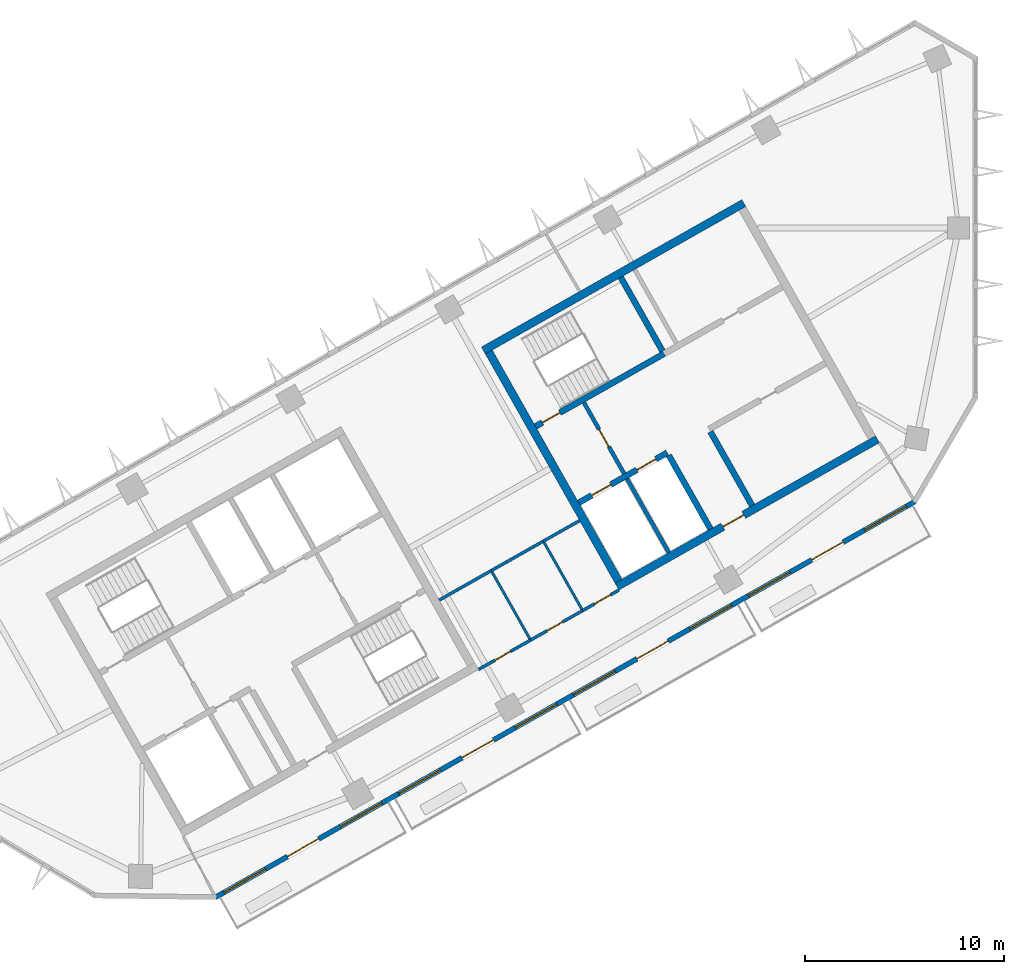
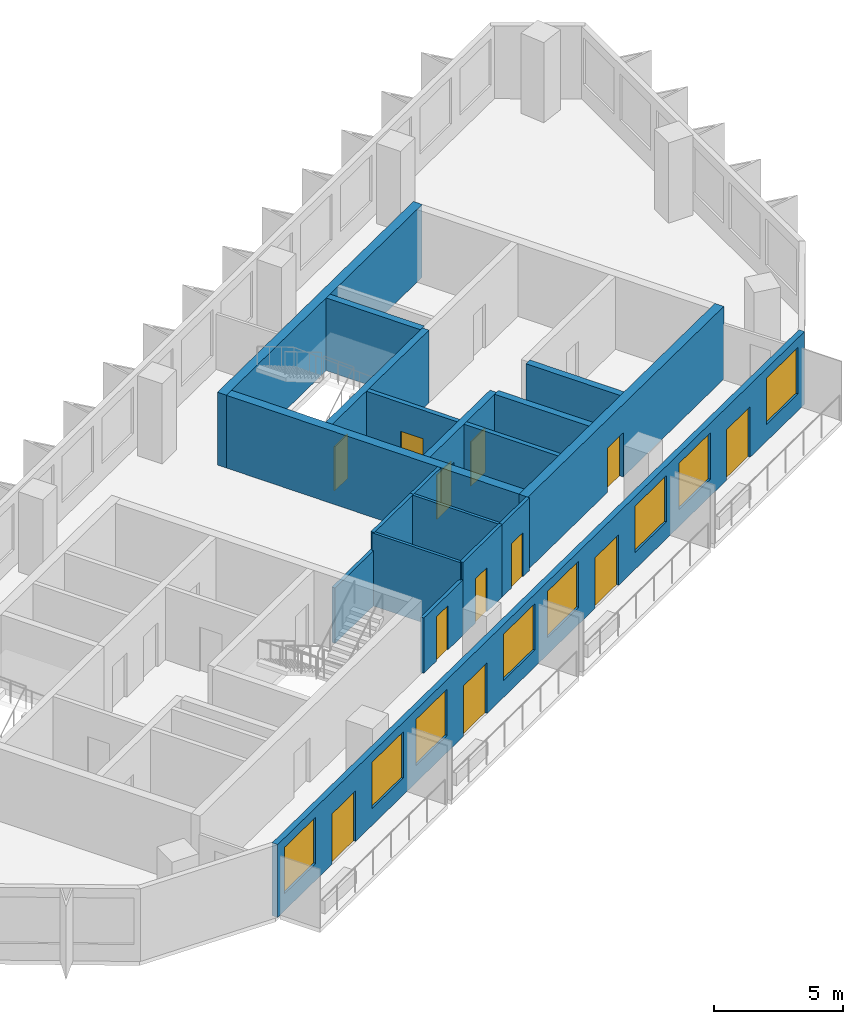
# One storey, part 4 of 8: 19 walls, 12 doors, 8 windows, 20 openings.
"""IFC4 building model written with IfcOpenShell, lengths in metres."""

import ifcopenshell
import ifcopenshell.guid

model = None  # the IFC model being written
_history = None  # IfcOwnerHistory: only IFC2X3 demands one
_inside = {}  # id of a spatial element -> (the spatial element, [elements in it])
_under = {}  # id of a project, library or spatial element -> (it, [spatial elements below it])
_declared = {}  # id of a project -> (the project, [libraries it declares])
_typed = {}  # id of a type object -> (the type object, [elements of that type])
_made_of = {}  # id of a material, layer set ... -> (it, [elements and type objects made of it])


def new_model(schema):
    """Start an empty IFC model of exactly this schema.

    Asked for "IFC4X3", IfcOpenShell would pick the latest addendum, in which some entities
    have other attributes; the version numbers below select the first issue.
    IFC2X3 requires an IfcOwnerHistory on every rooted entity: one is made here for all.
    """
    global model, _history
    if schema == "IFC4X3":
        model = ifcopenshell.file(schema_version=(4, 3, 0, 0))
    else:
        model = ifcopenshell.file(schema=schema)
    _inside.clear()
    _under.clear()
    _declared.clear()
    _typed.clear()
    _made_of.clear()
    _history = None
    if model.schema == "IFC2X3":
        org = make("IfcOrganization", Name="unknown")
        user = make(
            "IfcPersonAndOrganization",
            ThePerson=make("IfcPerson", FamilyName="unknown"),
            TheOrganization=org,
        )
        app = make(
            "IfcApplication",
            ApplicationDeveloper=org,
            Version="unknown",
            ApplicationFullName="unknown",
            ApplicationIdentifier="unknown",
        )
        _history = make(
            "IfcOwnerHistory",
            OwningUser=user,
            OwningApplication=app,
            ChangeAction="ADDED",
            CreationDate=0,
        )
    return model


def make(cls, **values):
    """One entity of the class cls with the attributes given. An attribute that is None is left unset."""
    return model.create_entity(
        cls, **{name: value for name, value in values.items() if value is not None}
    )


def rooted(cls, **values):
    """An entity with a GlobalId (a new one), such as an element, a storey or a relation."""
    return make(cls, GlobalId=ifcopenshell.guid.new(), OwnerHistory=_history, **values)


def si_unit(unit_type, name, prefix=None):
    """IfcSIUnit, for example si_unit("LENGTHUNIT", "METRE", prefix="MILLI")."""
    return make("IfcSIUnit", UnitType=unit_type, Prefix=prefix, Name=name)


def assignment(units):
    """IfcUnitAssignment: the units of a project."""
    return None if units is None else make("IfcUnitAssignment", Units=units)


def point(xyz):
    """IfcCartesianPoint."""
    return None if xyz is None else make("IfcCartesianPoint", Coordinates=xyz)


def direction(xyz):
    """IfcDirection."""
    return None if xyz is None else make("IfcDirection", DirectionRatios=xyz)


def frame(location, z_axis=None, x_axis=None):
    """IfcAxis2Placement3D, a coordinate frame: its origin and axes. An axis left out is left unset."""
    return make(
        "IfcAxis2Placement3D",
        Location=point(location),
        Axis=direction(z_axis),
        RefDirection=direction(x_axis),
    )


def frame_2d(location, x_axis=None):
    """IfcAxis2Placement2D, a coordinate frame in the plane: its origin and x axis."""
    return make(
        "IfcAxis2Placement2D", Location=point(location), RefDirection=direction(x_axis)
    )


def origin():
    """The frame at (0, 0, 0) with its axes left unset."""
    return frame((0.0, 0.0, 0.0))


def place(relative_to, where):
    """IfcLocalPlacement: puts the frame where relative to a parent placement (None: the world)."""
    return make(
        "IfcLocalPlacement", PlacementRelTo=relative_to, RelativePlacement=where
    )


def context(
    kind, dimensions, precision=None, world=None, true_north=None, identifier=None
):
    """IfcGeometricRepresentationContext, for example the 3D "Model" context."""
    return make(
        "IfcGeometricRepresentationContext",
        ContextIdentifier=identifier,
        ContextType=kind,
        CoordinateSpaceDimension=dimensions,
        Precision=precision,
        WorldCoordinateSystem=world,
        TrueNorth=true_north,
    )


def subcontext(parent, identifier, kind, view, scale=None):
    """IfcGeometricRepresentationSubContext, for example "Body" below "Model"."""
    return make(
        "IfcGeometricRepresentationSubContext",
        ContextIdentifier=identifier,
        ContextType=kind,
        ParentContext=parent,
        TargetScale=scale,
        TargetView=view,
    )


def project(units=None, contexts=None):
    """IfcProject with its units and contexts."""
    return rooted(
        "IfcProject",
        Name="project",
        RepresentationContexts=contexts,
        UnitsInContext=assignment(units),
    )


def spatial(cls, under=None, at=None, **own):
    """A site, building, storey or space (cls), placed at a placement, below another one or the project."""
    s = rooted(cls, ObjectPlacement=at, **own)
    if under is not None:
        _under.setdefault(under.id(), (under, []))[1].append(s)
    return s


def profile(cls, at=None, kind="AREA", **sizes):
    """A parametric profile (cls). Its sizes go by their IFC names, for example OverallWidth=200.0."""
    return make(cls, ProfileType=kind, Position=at, **sizes)


def rectangle(**sizes):
    """IfcRectangleProfileDef."""
    return profile("IfcRectangleProfileDef", **sizes)


def extrude(swept, where, along, depth):
    """IfcExtrudedAreaSolid: the profile swept, set in the frame where, extruded along a direction by depth."""
    return make(
        "IfcExtrudedAreaSolid",
        SweptArea=swept,
        Position=where,
        ExtrudedDirection=direction(along),
        Depth=depth,
    )


def shape(context_of_items, identifier, shape_type, items):
    """IfcShapeRepresentation: the items that make up one representation, for example the "Body"."""
    return make(
        "IfcShapeRepresentation",
        ContextOfItems=context_of_items,
        RepresentationIdentifier=identifier,
        RepresentationType=shape_type,
        Items=items,
    )


def material(Name=None, Category=None):
    """IfcMaterial."""
    return make("IfcMaterial", Name=Name, Category=Category)


def layer(
    of_material, thickness, ventilated=None, Name=None, Category=None, Priority=None
):
    """IfcMaterialLayer: one layer of a wall or slab, of a material (None: an air gap)."""
    return make(
        "IfcMaterialLayer",
        Material=of_material,
        LayerThickness=thickness,
        IsVentilated=ventilated,
        Name=Name,
        Category=Category,
        Priority=Priority,
    )


def layer_set(layers, Name=None):
    """IfcMaterialLayerSet."""
    return make("IfcMaterialLayerSet", MaterialLayers=layers, LayerSetName=Name)


def made_of(thing, what):
    """Note that an element or type object is made of a material, layer set ...; save() writes the relation."""
    if what is not None:
        _made_of.setdefault(what.id(), (what, []))[1].append(thing)
    return thing


def type_object(cls, material=None, **own):
    """A type object (cls), such as IfcWallType, which elements share."""
    return made_of(rooted(cls, **own), material)


def element(
    cls,
    number,
    at=None,
    inside=None,
    cuts=None,
    type_object=None,
    material=None,
    context=None,
    identifier="Body",
    shape_type=None,
    held_by="IfcProductDefinitionShape",
    body=None,
    shapes=None,
    **own,
):
    """One element of the class cls, such as IfcWall. Its Tag is "e" and its number.

    at: its placement. inside: the storey or other place that contains it. cuts: it is an
    opening in that element (IfcRelVoidsElement). A single representation is given by context,
    identifier, shape_type and body (its items); several are given by shapes. held_by: the class
    of the entity that holds the representations. save() writes the other relations.
    """
    e = rooted(cls, Tag="e%d" % number, ObjectPlacement=at, **own)
    if body is not None:
        shapes = [shape(context, identifier, shape_type, body)]
    if shapes is not None:
        e.Representation = make(held_by, Representations=shapes)
    if inside is not None:
        _inside.setdefault(inside.id(), (inside, []))[1].append(e)
    if cuts is not None:
        rooted(
            "IfcRelVoidsElement", RelatingBuildingElement=cuts, RelatedOpeningElement=e
        )
    if type_object is not None:
        _typed.setdefault(type_object.id(), (type_object, []))[1].append(e)
    return made_of(e, material)


def fill(opening, filler):
    """IfcRelFillsElement: the door or window that sits in an opening."""
    return rooted(
        "IfcRelFillsElement",
        RelatingOpeningElement=opening,
        RelatedBuildingElement=filler,
    )


def aggregate(whole, parts):
    """IfcRelAggregates: a whole, such as a stair, and the parts it consists of."""
    return rooted("IfcRelAggregates", RelatingObject=whole, RelatedObjects=parts)


def save(model, path):
    """Write the relations noted so far, then the file.

    IfcRelAggregates (storeys below a building ...), IfcRelContainedInSpatialStructure (elements
    in a storey), IfcRelDefinesByType, IfcRelAssociatesMaterial and IfcRelDeclares: one each for
    every whole, place, type object, material and project.
    """
    for whole, parts in _under.values():
        aggregate(whole, parts)
    for where, things in _inside.values():
        rooted(
            "IfcRelContainedInSpatialStructure",
            RelatedElements=things,
            RelatingStructure=where,
        )
    for kind, things in _typed.values():
        rooted("IfcRelDefinesByType", RelatedObjects=things, RelatingType=kind)
    for what, things in _made_of.values():
        rooted("IfcRelAssociatesMaterial", RelatedObjects=things, RelatingMaterial=what)
    for by, libraries in _declared.values():
        rooted("IfcRelDeclares", RelatingContext=by, RelatedDefinitions=libraries)
    model.write(path)


model = new_model("IFC4")

# Units and contexts
model_context = context("Model", 3, precision=1e-05, world=origin(), true_north=direction((0.0, 1.0)))
body_context = subcontext(model_context, "Body", "Model", "MODEL_VIEW")
ifc_project = project(units=[si_unit("LENGTHUNIT", "METRE"), si_unit("AREAUNIT", "SQUARE_METRE"), si_unit("VOLUMEUNIT", "CUBIC_METRE"), si_unit("PLANEANGLEUNIT", "RADIAN"), si_unit("MASSUNIT", "GRAM", prefix="KILO")], contexts=[model_context])

# Site, building, storey
site_placement = place(None, origin())
site = spatial("IfcSite", under=ifc_project, at=site_placement, CompositionType="ELEMENT")
building_placement = place(site_placement, origin())
building = spatial("IfcBuilding", under=site, at=building_placement, Name="Binnacle Exchange Tower", CompositionType="ELEMENT")
storey_placement = place(building_placement, frame((0.0, 0.0, 308.300048828125)))
storey = spatial("IfcBuildingStorey", under=building, at=storey_placement, Name="L69", CompositionType="ELEMENT", Elevation=308.300048828125)

# Wall, openings, doors
ifc_material_1 = material(Name="Concrete C70/85", Category="concrete")
ifc_layer_1 = layer(ifc_material_1, 0.300048828125)
ifc_layer_set_1 = layer_set([ifc_layer_1], Name="Core wall - front 300")
wall_type_1 = type_object("IfcWallType", Name="Core wall - front 300", PredefinedType="SOLIDWALL", material=ifc_layer_set_1)
wall_1_placement = place(storey_placement, frame((-19.89208984375, 46.2177734375, 0.0), z_axis=(0.0, 0.0, 1.0), x_axis=(0.870341639186, 0.492448404505, 0.0)))
wall_1 = element("IfcWall", 1, at=wall_1_placement, inside=storey, type_object=wall_type_1, Name="Core wall CRWC2", PredefinedType="SOLIDWALL", context=body_context, shape_type="SweptSolid", body=[
    extrude(rectangle(XDim=5.099853515625, YDim=0.300048828125, at=frame_2d((2.5498046875, 0.0))), origin(), (0.0, 0.0, 1.0), 3.449951171875),
])
opening_1_placement = place(wall_1_placement, frame((0.75, 0.0, 0.0)))
opening_1 = element("IfcOpeningElement", 2, at=opening_1_placement, cuts=wall_1, Name="Opening LD14", PredefinedType="OPENING", context=body_context, shape_type="SweptSolid", body=[
    extrude(rectangle(XDim=1.10009765625, YDim=2.10009765625, at=frame_2d((0.550048828125, 1.050048828125))), frame((0.0, 0.159912109375, 0.0), z_axis=(0.0, -1.0, 0.0), x_axis=(1.0, 0.0, 0.0)), (0.0, 0.0, 1.0), 0.320068359375),
])
opening_2_placement = place(wall_1_placement, frame((3.35009765625, 0.0, 0.0)))
opening_2 = element("IfcOpeningElement", 3, at=opening_2_placement, cuts=wall_1, Name="Opening LD11", PredefinedType="OPENING", context=body_context, shape_type="SweptSolid", body=[
    extrude(rectangle(XDim=1.10009765625, YDim=2.10009765625, at=frame_2d((0.550048828125, 1.050048828125))), frame((0.0, 0.159912109375, 0.0), z_axis=(0.0, -1.0, 0.0), x_axis=(1.0, 0.0, 0.0)), (0.0, 0.0, 1.0), 0.320068359375),
])
ifc_material_2 = material(Name="Steel door leaf", Category="steel")
door_type_1 = type_object("IfcDoorType", Name="Fire door - lift landing 1100", OperationType="NOTDEFINED", PredefinedType="DOOR", material=ifc_material_2)
door_1_placement = place(opening_1_placement, origin())
door_1 = element("IfcDoor", 4, at=door_1_placement, inside=storey, type_object=door_type_1, Name="Landing door LD14 L69", OperationType="DOUBLE_DOOR_SLIDING", OverallHeight=2.10009765625, OverallWidth=1.10009765625, PredefinedType="DOOR", context=body_context, shape_type="SweptSolid", body=[
    extrude(rectangle(XDim=1.10009765625, YDim=2.10009765625, at=frame_2d((0.550048828125, 1.050048828125))), frame((0.0, 0.02490234375, 0.0), z_axis=(0.0, -1.0, 0.0), x_axis=(1.0, 0.0, 0.0)), (0.0, 0.0, 1.0), 0.050048828125),
])
fill(opening_1, door_1)
door_2_placement = place(opening_2_placement, origin())
door_2 = element("IfcDoor", 5, at=door_2_placement, inside=storey, type_object=door_type_1, Name="Landing door LD11 L69", OperationType="DOUBLE_DOOR_SLIDING", OverallHeight=2.10009765625, OverallWidth=1.10009765625, PredefinedType="DOOR", context=body_context, shape_type="SweptSolid", body=[
    extrude(rectangle(XDim=1.10009765625, YDim=2.10009765625, at=frame_2d((0.550048828125, 1.050048828125))), frame((0.0, 0.02490234375, 0.0), z_axis=(0.0, -1.0, 0.0), x_axis=(1.0, 0.0, 0.0)), (0.0, 0.0, 1.0), 0.050048828125),
])
fill(opening_2, door_2)

# Walls
wall_2_placement = place(storey_placement, frame((-15.37939453125, 48.5986328125, 0.0), z_axis=(0.0, 0.0, 1.0), x_axis=(0.492422543467, -0.870356271124, 0.0)))
element("IfcWall", 6, at=wall_2_placement, inside=storey, type_object=wall_type_1, Name="Core wall CRWC13", PredefinedType="SOLIDWALL", context=body_context, shape_type="SweptSolid", body=[
    extrude(rectangle(XDim=4.25, YDim=0.300048828125, at=frame_2d((2.125, 0.0))), origin(), (0.0, 0.0, 1.0), 3.449951171875),
])
wall_3_placement = place(storey_placement, frame((-13.29052734375, 49.780517578125, 0.0), z_axis=(0.0, 0.0, 1.0), x_axis=(0.492397924348, -0.870370199454, 0.0)))
element("IfcWall", 7, at=wall_3_placement, inside=storey, type_object=wall_type_1, Name="Core wall CRWC15", PredefinedType="SOLIDWALL", context=body_context, shape_type="SweptSolid", body=[
    extrude(rectangle(XDim=4.250244140625, YDim=0.300048828125, at=frame_2d((2.125, 0.0))), origin(), (0.0, 0.0, 1.0), 3.449951171875),
])

# Wall, opening, door
ifc_layer_2 = layer(ifc_material_1, 0.39990234375)
ifc_layer_set_2 = layer_set([ifc_layer_2], Name="Core wall - outer 400")
wall_type_2 = type_object("IfcWallType", Name="Core wall - outer 400", PredefinedType="SOLIDWALL", material=ifc_layer_set_2)
wall_4_placement = place(storey_placement, frame((-17.97509765625, 42.01708984375, 0.0), z_axis=(0.0, 0.0, 1.0), x_axis=(0.87034965173, 0.492434243055, 0.0)))
wall_4 = element("IfcWall", 8, at=wall_4_placement, inside=storey, type_object=wall_type_2, Name="Core wall CRWC1", PredefinedType="SOLIDWALL", context=body_context, shape_type="SweptSolid", body=[
    extrude(rectangle(XDim=15.0, YDim=0.39990234375, at=frame_2d((7.5, 0.0))), origin(), (0.0, 0.0, 1.0), 3.449951171875),
])
opening_3_placement = place(wall_4_placement, frame((6.10009765625, 0.0, 0.0)))
opening_3 = element("IfcOpeningElement", 9, at=opening_3_placement, cuts=wall_4, Name="Opening DC7", PredefinedType="OPENING", context=body_context, shape_type="SweptSolid", body=[
    extrude(rectangle(XDim=1.199951171875, YDim=2.10009765625, at=frame_2d((0.60009765625, 1.050048828125))), frame((0.0, 0.2099609375, 0.0), z_axis=(0.0, -1.0, 0.0), x_axis=(1.0, 0.0, 0.0)), (0.0, 0.0, 1.0), 0.419921875),
])
door_type_2 = type_object("IfcDoorType", Name="Fire door 1200", OperationType="NOTDEFINED", PredefinedType="DOOR", material=ifc_material_2)
door_3_placement = place(opening_3_placement, frame((1.199951171875, 0.0, 0.0), z_axis=(0.0, 0.0, 1.0), x_axis=(-1.0, 0.0, 0.0)))
door_3 = element("IfcDoor", 10, at=door_3_placement, inside=storey, type_object=door_type_2, Name="Lift lobby entrance door core C", OperationType="SINGLE_SWING_RIGHT", OverallHeight=2.10009765625, OverallWidth=1.199951171875, PredefinedType="DOOR", context=body_context, shape_type="SweptSolid", body=[
    extrude(rectangle(XDim=1.199951171875, YDim=2.10009765625, at=frame_2d((0.60009765625, 1.050048828125))), frame((0.0, 0.02490234375, 0.0), z_axis=(0.0, -1.0, 0.0), x_axis=(1.0, 0.0, 0.0)), (0.0, 0.0, 1.0), 0.050048828125),
])
fill(opening_3, door_3)

# Walls
wall_5_placement = place(storey_placement, frame((-24.672119140625, 53.85400390625, 0.0), z_axis=(0.0, 0.0, 1.0), x_axis=(0.870353598469, 0.492427267353, 0.0)))
element("IfcWall", 11, at=wall_5_placement, inside=storey, type_object=wall_type_2, Name="Core wall CRWC6", PredefinedType="SOLIDWALL", context=body_context, shape_type="SweptSolid", body=[
    extrude(rectangle(XDim=15.000244140625, YDim=0.39990234375, at=frame_2d((7.5, 0.0))), origin(), (0.0, 0.0, 1.0), 3.449951171875),
])
wall_6_placement = place(storey_placement, frame((-24.399658203125, 53.778564453125, 0.0), z_axis=(0.0, 0.0, 1.0), x_axis=(0.492421663121, -0.870356769198, 0.0)))
element("IfcWall", 12, at=wall_6_placement, inside=storey, type_object=wall_type_2, Name="Core wall CRWC7", PredefinedType="SOLIDWALL", context=body_context, shape_type="SweptSolid", body=[
    extrude(rectangle(XDim=13.199951171875, YDim=0.39990234375, at=frame_2d((6.60009765625, 0.0))), origin(), (0.0, 0.0, 1.0), 3.449951171875),
])

# Wall, opening, door
ifc_layer_3 = layer(ifc_material_1, 0.300048828125)
ifc_layer_set_3 = layer_set([ifc_layer_3], Name="Core wall - stair 300")
wall_type_3 = type_object("IfcWallType", Name="Core wall - stair 300", PredefinedType="SOLIDWALL", material=ifc_layer_set_3)
wall_7_placement = place(storey_placement, frame((-22.058837890625, 50.04736328125, 0.0), z_axis=(0.0, 0.0, 1.0), x_axis=(0.87035077051, 0.49243226567, 0.0)))
wall_7 = element("IfcWall", 13, at=wall_7_placement, inside=storey, type_object=wall_type_3, Name="Core wall CRWC4", PredefinedType="SOLIDWALL", context=body_context, shape_type="SweptSolid", body=[
    extrude(rectangle(XDim=7.400146484375, YDim=0.300048828125, at=frame_2d((3.7001953125, 0.0))), origin(), (0.0, 0.0, 1.0), 3.449951171875),
])
opening_4_placement = place(wall_7_placement, frame((0.39990234375, 0.0, 0.0)))
opening_4 = element("IfcOpeningElement", 14, at=opening_4_placement, cuts=wall_7, Name="Opening DC1", PredefinedType="OPENING", context=body_context, shape_type="SweptSolid", body=[
    extrude(rectangle(XDim=1.0, YDim=2.10009765625, at=frame_2d((0.5, 1.050048828125))), frame((0.0, 0.159912109375, 0.0), z_axis=(0.0, -1.0, 0.0), x_axis=(1.0, 0.0, 0.0)), (0.0, 0.0, 1.0), 0.320068359375),
])
door_type_3 = type_object("IfcDoorType", Name="Fire door 1000", OperationType="NOTDEFINED", PredefinedType="DOOR", material=ifc_material_2)
door_4_placement = place(opening_4_placement, origin())
door_4 = element("IfcDoor", 15, at=door_4_placement, inside=storey, type_object=door_type_3, Name="Stair door ST-C1", OperationType="SINGLE_SWING_LEFT", OverallHeight=2.10009765625, OverallWidth=1.0, PredefinedType="DOOR", context=body_context, shape_type="SweptSolid", body=[
    extrude(rectangle(XDim=1.0, YDim=2.10009765625, at=frame_2d((0.5, 1.050048828125))), frame((0.0, 0.02490234375, 0.0), z_axis=(0.0, -1.0, 0.0), x_axis=(1.0, 0.0, 0.0)), (0.0, 0.0, 1.0), 0.050048828125),
])
fill(opening_4, door_4)

# Wall
wall_8_placement = place(storey_placement, frame((-17.784912109375, 57.52099609375, 0.0), z_axis=(0.0, 0.0, 1.0), x_axis=(0.492422543467, -0.870356271124, 0.0)))
element("IfcWall", 16, at=wall_8_placement, inside=storey, type_object=wall_type_3, Name="Core wall CRWC14", PredefinedType="SOLIDWALL", context=body_context, shape_type="SweptSolid", body=[
    extrude(rectangle(XDim=4.25, YDim=0.300048828125, at=frame_2d((2.125, 0.0))), origin(), (0.0, 0.0, 1.0), 3.449951171875),
])

# Wall, openings, doors, windows
ifc_material_3 = material(Name="Bronze aluminium cladding", Category="aluminium")
ifc_layer_4 = layer(ifc_material_3, 0.25)
ifc_layer_set_4 = layer_set([ifc_layer_4], Name="External wall - window wall 250")
wall_type_4 = type_object("IfcWallType", Name="External wall - window wall 250", PredefinedType="STANDARD", material=ifc_layer_set_4)
wall_9_placement = place(storey_placement, frame((-3.016845703125, 46.293212890625, 0.0), z_axis=(0.0, 0.0, 1.0), x_axis=(-0.870355474887, -0.492423950812, 0.0)))
wall_9 = element("IfcWall", 17, at=wall_9_placement, inside=storey, type_object=wall_type_4, Name="External wall EW-H07 L69", PredefinedType="STANDARD", context=body_context, shape_type="SweptSolid", body=[
    extrude(rectangle(XDim=40.34033203125, YDim=0.25, at=frame_2d((20.170166015625, 0.0))), origin(), (0.0, 0.0, 1.0), 3.449951171875),
])
opening_5_placement = place(wall_9_placement, frame((37.428466796875, 0.0, 0.800048828125)))
opening_5 = element("IfcOpeningElement", 18, at=opening_5_placement, cuts=wall_9, Name="Opening WR2", PredefinedType="OPENING", context=body_context, shape_type="SweptSolid", body=[
    extrude(rectangle(XDim=2.39990234375, YDim=2.199951171875, at=frame_2d((1.199951171875, 1.10009765625))), frame((0.0, 0.135009765625, 0.0), z_axis=(0.0, -1.0, 0.0), x_axis=(1.0, 0.0, 0.0)), (0.0, 0.0, 1.0), 0.27001953125),
])
opening_6_placement = place(wall_9_placement, frame((34.372314453125, 0.0, 0.0)))
opening_6 = element("IfcOpeningElement", 19, at=opening_6_placement, cuts=wall_9, Name="Opening D-FS20-01", PredefinedType="OPENING", context=body_context, shape_type="SweptSolid", body=[
    extrude(rectangle(XDim=1.800048828125, YDim=2.39990234375, at=frame_2d((0.89990234375, 1.199951171875))), frame((0.0, 0.135009765625, 0.0), z_axis=(0.0, -1.0, 0.0), x_axis=(1.0, 0.0, 0.0)), (0.0, 0.0, 1.0), 0.27001953125),
])
opening_7_placement = place(wall_9_placement, frame((30.71630859375, 0.0, 0.800048828125)))
opening_7 = element("IfcOpeningElement", 20, at=opening_7_placement, cuts=wall_9, Name="Opening WR2", PredefinedType="OPENING", context=body_context, shape_type="SweptSolid", body=[
    extrude(rectangle(XDim=2.39990234375, YDim=2.199951171875, at=frame_2d((1.199951171875, 1.10009765625))), frame((0.0, 0.135009765625, 0.0), z_axis=(0.0, -1.0, 0.0), x_axis=(1.0, 0.0, 0.0)), (0.0, 0.0, 1.0), 0.27001953125),
])
opening_8_placement = place(wall_9_placement, frame((27.3603515625, 0.0, 0.800048828125)))
opening_8 = element("IfcOpeningElement", 21, at=opening_8_placement, cuts=wall_9, Name="Opening WR2", PredefinedType="OPENING", context=body_context, shape_type="SweptSolid", body=[
    extrude(rectangle(XDim=2.39990234375, YDim=2.199951171875, at=frame_2d((1.199951171875, 1.10009765625))), frame((0.0, 0.135009765625, 0.0), z_axis=(0.0, -1.0, 0.0), x_axis=(1.0, 0.0, 0.0)), (0.0, 0.0, 1.0), 0.27001953125),
])
opening_9_placement = place(wall_9_placement, frame((24.30419921875, 0.0, 0.0)))
opening_9 = element("IfcOpeningElement", 22, at=opening_9_placement, cuts=wall_9, Name="Opening D-FS20-02", PredefinedType="OPENING", context=body_context, shape_type="SweptSolid", body=[
    extrude(rectangle(XDim=1.800048828125, YDim=2.39990234375, at=frame_2d((0.89990234375, 1.199951171875))), frame((0.0, 0.135009765625, 0.0), z_axis=(0.0, -1.0, 0.0), x_axis=(1.0, 0.0, 0.0)), (0.0, 0.0, 1.0), 0.27001953125),
])
opening_10_placement = place(wall_9_placement, frame((20.648193359375, 0.0, 0.800048828125)))
opening_10 = element("IfcOpeningElement", 23, at=opening_10_placement, cuts=wall_9, Name="Opening WR2", PredefinedType="OPENING", context=body_context, shape_type="SweptSolid", body=[
    extrude(rectangle(XDim=2.39990234375, YDim=2.199951171875, at=frame_2d((1.199951171875, 1.10009765625))), frame((0.0, 0.135009765625, 0.0), z_axis=(0.0, -1.0, 0.0), x_axis=(1.0, 0.0, 0.0)), (0.0, 0.0, 1.0), 0.27001953125),
])
opening_11_placement = place(wall_9_placement, frame((17.2919921875, 0.0, 0.800048828125)))
opening_11 = element("IfcOpeningElement", 24, at=opening_11_placement, cuts=wall_9, Name="Opening WR2", PredefinedType="OPENING", context=body_context, shape_type="SweptSolid", body=[
    extrude(rectangle(XDim=2.39990234375, YDim=2.199951171875, at=frame_2d((1.199951171875, 1.10009765625))), frame((0.0, 0.135009765625, 0.0), z_axis=(0.0, -1.0, 0.0), x_axis=(1.0, 0.0, 0.0)), (0.0, 0.0, 1.0), 0.27001953125),
])
opening_12_placement = place(wall_9_placement, frame((14.236083984375, 0.0, 0.0)))
opening_12 = element("IfcOpeningElement", 25, at=opening_12_placement, cuts=wall_9, Name="Opening D-FS20-03", PredefinedType="OPENING", context=body_context, shape_type="SweptSolid", body=[
    extrude(rectangle(XDim=1.800048828125, YDim=2.39990234375, at=frame_2d((0.89990234375, 1.199951171875))), frame((0.0, 0.135009765625, 0.0), z_axis=(0.0, -1.0, 0.0), x_axis=(1.0, 0.0, 0.0)), (0.0, 0.0, 1.0), 0.27001953125),
])
opening_13_placement = place(wall_9_placement, frame((10.580078125, 0.0, 0.800048828125)))
opening_13 = element("IfcOpeningElement", 26, at=opening_13_placement, cuts=wall_9, Name="Opening WR2", PredefinedType="OPENING", context=body_context, shape_type="SweptSolid", body=[
    extrude(rectangle(XDim=2.39990234375, YDim=2.199951171875, at=frame_2d((1.199951171875, 1.10009765625))), frame((0.0, 0.135009765625, 0.0), z_axis=(0.0, -1.0, 0.0), x_axis=(1.0, 0.0, 0.0)), (0.0, 0.0, 1.0), 0.27001953125),
])
opening_14_placement = place(wall_9_placement, frame((7.223876953125, 0.0, 0.800048828125)))
opening_14 = element("IfcOpeningElement", 27, at=opening_14_placement, cuts=wall_9, Name="Opening WR2", PredefinedType="OPENING", context=body_context, shape_type="SweptSolid", body=[
    extrude(rectangle(XDim=2.39990234375, YDim=2.199951171875, at=frame_2d((1.199951171875, 1.10009765625))), frame((0.0, 0.135009765625, 0.0), z_axis=(0.0, -1.0, 0.0), x_axis=(1.0, 0.0, 0.0)), (0.0, 0.0, 1.0), 0.27001953125),
])
opening_15_placement = place(wall_9_placement, frame((4.16796875, 0.0, 0.0)))
opening_15 = element("IfcOpeningElement", 28, at=opening_15_placement, cuts=wall_9, Name="Opening D-FS20-04", PredefinedType="OPENING", context=body_context, shape_type="SweptSolid", body=[
    extrude(rectangle(XDim=1.800048828125, YDim=2.39990234375, at=frame_2d((0.89990234375, 1.199951171875))), frame((0.0, 0.135009765625, 0.0), z_axis=(0.0, -1.0, 0.0), x_axis=(1.0, 0.0, 0.0)), (0.0, 0.0, 1.0), 0.27001953125),
])
opening_16_placement = place(wall_9_placement, frame((0.51171875, 0.0, 0.800048828125)))
opening_16 = element("IfcOpeningElement", 29, at=opening_16_placement, cuts=wall_9, Name="Opening WR2", PredefinedType="OPENING", context=body_context, shape_type="SweptSolid", body=[
    extrude(rectangle(XDim=2.39990234375, YDim=2.199951171875, at=frame_2d((1.199951171875, 1.10009765625))), frame((0.0, 0.135009765625, 0.0), z_axis=(0.0, -1.0, 0.0), x_axis=(1.0, 0.0, 0.0)), (0.0, 0.0, 1.0), 0.27001953125),
])
ifc_material_4 = material(Name="Bronze anodised aluminium frame", Category="aluminium")
door_type_4 = type_object("IfcDoorType", Name="DB DOOR 1800x2400", OperationType="DOUBLE_DOOR_SINGLE_SWING", PredefinedType="DOOR", material=ifc_material_4)
door_5_placement = place(opening_6_placement, origin())
door_5 = element("IfcDoor", 30, at=door_5_placement, inside=storey, type_object=door_type_4, Name="Door D-FS20-01 L69", OperationType="DOUBLE_DOOR_SINGLE_SWING", OverallHeight=2.39990234375, OverallWidth=1.800048828125, PredefinedType="DOOR", context=body_context, shape_type="SweptSolid", body=[
    extrude(rectangle(XDim=1.800048828125, YDim=2.39990234375, at=frame_2d((0.89990234375, 1.199951171875))), frame((0.0, 0.02490234375, 0.0), z_axis=(0.0, -1.0, 0.0), x_axis=(1.0, 0.0, 0.0)), (0.0, 0.0, 1.0), 0.050048828125),
])
fill(opening_6, door_5)
door_6_placement = place(opening_9_placement, origin())
door_6 = element("IfcDoor", 31, at=door_6_placement, inside=storey, type_object=door_type_4, Name="Door D-FS20-02 L69", OperationType="DOUBLE_DOOR_SINGLE_SWING", OverallHeight=2.39990234375, OverallWidth=1.800048828125, PredefinedType="DOOR", context=body_context, shape_type="SweptSolid", body=[
    extrude(rectangle(XDim=1.800048828125, YDim=2.39990234375, at=frame_2d((0.89990234375, 1.199951171875))), frame((0.0, 0.02490234375, 0.0), z_axis=(0.0, -1.0, 0.0), x_axis=(1.0, 0.0, 0.0)), (0.0, 0.0, 1.0), 0.050048828125),
])
fill(opening_9, door_6)
door_7_placement = place(opening_12_placement, origin())
door_7 = element("IfcDoor", 32, at=door_7_placement, inside=storey, type_object=door_type_4, Name="Door D-FS20-03 L69", OperationType="DOUBLE_DOOR_SINGLE_SWING", OverallHeight=2.39990234375, OverallWidth=1.800048828125, PredefinedType="DOOR", context=body_context, shape_type="SweptSolid", body=[
    extrude(rectangle(XDim=1.800048828125, YDim=2.39990234375, at=frame_2d((0.89990234375, 1.199951171875))), frame((0.0, 0.02490234375, 0.0), z_axis=(0.0, -1.0, 0.0), x_axis=(1.0, 0.0, 0.0)), (0.0, 0.0, 1.0), 0.050048828125),
])
fill(opening_12, door_7)
door_8_placement = place(opening_15_placement, origin())
door_8 = element("IfcDoor", 33, at=door_8_placement, inside=storey, type_object=door_type_4, Name="Door D-FS20-04 L69", OperationType="DOUBLE_DOOR_SINGLE_SWING", OverallHeight=2.39990234375, OverallWidth=1.800048828125, PredefinedType="DOOR", context=body_context, shape_type="SweptSolid", body=[
    extrude(rectangle(XDim=1.800048828125, YDim=2.39990234375, at=frame_2d((0.89990234375, 1.199951171875))), frame((0.0, 0.02490234375, 0.0), z_axis=(0.0, -1.0, 0.0), x_axis=(1.0, 0.0, 0.0)), (0.0, 0.0, 1.0), 0.050048828125),
])
fill(opening_15, door_8)
window_type = type_object("IfcWindowType", Name="WR2 WINDOW 2400x2200", PartitioningType="SINGLE_PANEL", PredefinedType="WINDOW", material=ifc_material_4)
window_1_placement = place(opening_5_placement, origin())
window_1 = element("IfcWindow", 34, at=window_1_placement, inside=storey, type_object=window_type, Name="Window WR2 L69", OverallHeight=2.199951171875, OverallWidth=2.39990234375, PartitioningType="SINGLE_PANEL", PredefinedType="WINDOW", context=body_context, shape_type="SweptSolid", body=[
    extrude(rectangle(XDim=2.39990234375, YDim=2.199951171875, at=frame_2d((1.199951171875, 1.10009765625))), frame((0.0, 0.030029296875, 0.0), z_axis=(0.0, -1.0, 0.0), x_axis=(1.0, 0.0, 0.0)), (0.0, 0.0, 1.0), 0.06005859375),
])
fill(opening_5, window_1)
window_2_placement = place(opening_7_placement, origin())
window_2 = element("IfcWindow", 35, at=window_2_placement, inside=storey, type_object=window_type, Name="Window WR2 L69", OverallHeight=2.199951171875, OverallWidth=2.39990234375, PartitioningType="SINGLE_PANEL", PredefinedType="WINDOW", context=body_context, shape_type="SweptSolid", body=[
    extrude(rectangle(XDim=2.39990234375, YDim=2.199951171875, at=frame_2d((1.199951171875, 1.10009765625))), frame((0.0, 0.030029296875, 0.0), z_axis=(0.0, -1.0, 0.0), x_axis=(1.0, 0.0, 0.0)), (0.0, 0.0, 1.0), 0.06005859375),
])
fill(opening_7, window_2)
window_3_placement = place(opening_8_placement, origin())
window_3 = element("IfcWindow", 36, at=window_3_placement, inside=storey, type_object=window_type, Name="Window WR2 L69", OverallHeight=2.199951171875, OverallWidth=2.39990234375, PartitioningType="SINGLE_PANEL", PredefinedType="WINDOW", context=body_context, shape_type="SweptSolid", body=[
    extrude(rectangle(XDim=2.39990234375, YDim=2.199951171875, at=frame_2d((1.199951171875, 1.10009765625))), frame((0.0, 0.030029296875, 0.0), z_axis=(0.0, -1.0, 0.0), x_axis=(1.0, 0.0, 0.0)), (0.0, 0.0, 1.0), 0.06005859375),
])
fill(opening_8, window_3)
window_4_placement = place(opening_10_placement, origin())
window_4 = element("IfcWindow", 37, at=window_4_placement, inside=storey, type_object=window_type, Name="Window WR2 L69", OverallHeight=2.199951171875, OverallWidth=2.39990234375, PartitioningType="SINGLE_PANEL", PredefinedType="WINDOW", context=body_context, shape_type="SweptSolid", body=[
    extrude(rectangle(XDim=2.39990234375, YDim=2.199951171875, at=frame_2d((1.199951171875, 1.10009765625))), frame((0.0, 0.030029296875, 0.0), z_axis=(0.0, -1.0, 0.0), x_axis=(1.0, 0.0, 0.0)), (0.0, 0.0, 1.0), 0.06005859375),
])
fill(opening_10, window_4)
window_5_placement = place(opening_11_placement, origin())
window_5 = element("IfcWindow", 38, at=window_5_placement, inside=storey, type_object=window_type, Name="Window WR2 L69", OverallHeight=2.199951171875, OverallWidth=2.39990234375, PartitioningType="SINGLE_PANEL", PredefinedType="WINDOW", context=body_context, shape_type="SweptSolid", body=[
    extrude(rectangle(XDim=2.39990234375, YDim=2.199951171875, at=frame_2d((1.199951171875, 1.10009765625))), frame((0.0, 0.030029296875, 0.0), z_axis=(0.0, -1.0, 0.0), x_axis=(1.0, 0.0, 0.0)), (0.0, 0.0, 1.0), 0.06005859375),
])
fill(opening_11, window_5)
window_6_placement = place(opening_13_placement, origin())
window_6 = element("IfcWindow", 39, at=window_6_placement, inside=storey, type_object=window_type, Name="Window WR2 L69", OverallHeight=2.199951171875, OverallWidth=2.39990234375, PartitioningType="SINGLE_PANEL", PredefinedType="WINDOW", context=body_context, shape_type="SweptSolid", body=[
    extrude(rectangle(XDim=2.39990234375, YDim=2.199951171875, at=frame_2d((1.199951171875, 1.10009765625))), frame((0.0, 0.030029296875, 0.0), z_axis=(0.0, -1.0, 0.0), x_axis=(1.0, 0.0, 0.0)), (0.0, 0.0, 1.0), 0.06005859375),
])
fill(opening_13, window_6)
window_7_placement = place(opening_14_placement, origin())
window_7 = element("IfcWindow", 40, at=window_7_placement, inside=storey, type_object=window_type, Name="Window WR2 L69", OverallHeight=2.199951171875, OverallWidth=2.39990234375, PartitioningType="SINGLE_PANEL", PredefinedType="WINDOW", context=body_context, shape_type="SweptSolid", body=[
    extrude(rectangle(XDim=2.39990234375, YDim=2.199951171875, at=frame_2d((1.199951171875, 1.10009765625))), frame((0.0, 0.030029296875, 0.0), z_axis=(0.0, -1.0, 0.0), x_axis=(1.0, 0.0, 0.0)), (0.0, 0.0, 1.0), 0.06005859375),
])
fill(opening_14, window_7)
window_8_placement = place(opening_16_placement, origin())
window_8 = element("IfcWindow", 41, at=window_8_placement, inside=storey, type_object=window_type, Name="Window WR2 L69", OverallHeight=2.199951171875, OverallWidth=2.39990234375, PartitioningType="SINGLE_PANEL", PredefinedType="WINDOW", context=body_context, shape_type="SweptSolid", body=[
    extrude(rectangle(XDim=2.39990234375, YDim=2.199951171875, at=frame_2d((1.199951171875, 1.10009765625))), frame((0.0, 0.030029296875, 0.0), z_axis=(0.0, -1.0, 0.0), x_axis=(1.0, 0.0, 0.0)), (0.0, 0.0, 1.0), 0.06005859375),
])
fill(opening_16, window_8)

# Wall, opening, door
ifc_material_5 = material(Name="Masonry block wall", Category="masonry")
ifc_layer_5 = layer(ifc_material_5, 0.199951171875)
ifc_layer_set_5 = layer_set([ifc_layer_5], Name="Fire wall - vestibule 200")
wall_type_5 = type_object("IfcWallType", Name="Fire wall - vestibule 200", PredefinedType="PARTITIONING", material=ifc_layer_set_5)
wall_10_placement = place(storey_placement, frame((-19.635009765625, 51.246337890625, 0.0), z_axis=(0.0, 0.0, 1.0), x_axis=(0.492408451753, -0.87036424366, 0.0)))
wall_10 = element("IfcWall", 42, at=wall_10_placement, inside=storey, type_object=wall_type_5, Name="Core wall CRWC10", PredefinedType="PARTITIONING", context=body_context, shape_type="SweptSolid", body=[
    extrude(rectangle(XDim=4.099853515625, YDim=0.199951171875, at=frame_2d((2.0498046875, 0.0))), origin(), (0.0, 0.0, 1.0), 3.449951171875),
])
opening_17_placement = place(wall_10_placement, frame((1.550048828125, 0.0, 0.0)))
opening_17 = element("IfcOpeningElement", 43, at=opening_17_placement, cuts=wall_10, Name="Opening DC3", PredefinedType="OPENING", context=body_context, shape_type="SweptSolid", body=[
    extrude(rectangle(XDim=1.0, YDim=2.10009765625, at=frame_2d((0.5, 1.050048828125))), frame((0.0, 0.10986328125, 0.0), z_axis=(0.0, -1.0, 0.0), x_axis=(1.0, 0.0, 0.0)), (0.0, 0.0, 1.0), 0.219970703125),
])
door_9_placement = place(opening_17_placement, frame((1.0, 0.0, 0.0), z_axis=(0.0, 0.0, 1.0), x_axis=(-1.0, 0.0, 0.0)))
door_9 = element("IfcDoor", 44, at=door_9_placement, inside=storey, type_object=door_type_3, Name="Vestibule door VEST-W", OperationType="SINGLE_SWING_RIGHT", OverallHeight=2.10009765625, OverallWidth=1.0, PredefinedType="DOOR", context=body_context, shape_type="SweptSolid", body=[
    extrude(rectangle(XDim=1.0, YDim=2.10009765625, at=frame_2d((0.5, 1.050048828125))), frame((0.0, 0.02490234375, 0.0), z_axis=(0.0, -1.0, 0.0), x_axis=(1.0, 0.0, 0.0)), (0.0, 0.0, 1.0), 0.050048828125),
])
fill(opening_17, door_9)

# Wall
ifc_material_6 = material(Name="Gypsum partition fire rated")
ifc_layer_6 = layer(ifc_material_6, 0.14990234375)
ifc_layer_set_6 = layer_set([ifc_layer_6], Name="Fire-rated partition 150")
wall_type_6 = type_object("IfcWallType", Name="Fire-rated partition 150", PredefinedType="PARTITIONING", material=ifc_layer_set_6)
wall_11_placement = place(storey_placement, frame((-26.887939453125, 41.340087890625, 0.0), z_axis=(0.0, 0.0, 1.0), x_axis=(0.8702292093, 0.492647057518, 0.0)))
element("IfcWall", 45, at=wall_11_placement, inside=storey, type_object=wall_type_6, Name="Partition W02", PredefinedType="PARTITIONING", context=body_context, shape_type="SweptSolid", body=[
    extrude(rectangle(XDim=3.000244140625, YDim=0.14990234375, at=frame_2d((1.5, 0.0))), origin(), (0.0, 0.0, 1.0), 2.6220703125),
])

# Wall, opening, door
wall_12_placement = place(storey_placement, frame((-24.9189453125, 37.85888671875, 0.0), z_axis=(0.0, 0.0, 1.0), x_axis=(0.870368744559, 0.492400496034, 0.0)))
wall_12 = element("IfcWall", 46, at=wall_12_placement, inside=storey, type_object=wall_type_6, Name="Partition W03", PredefinedType="PARTITIONING", context=body_context, shape_type="SweptSolid", body=[
    extrude(rectangle(XDim=2.999755859375, YDim=0.14990234375, at=frame_2d((1.5, 0.0))), origin(), (0.0, 0.0, 1.0), 2.6220703125),
])
opening_18_placement = place(wall_12_placement, frame((0.949951171875, 0.0, 0.0)))
opening_18 = element("IfcOpeningElement", 47, at=opening_18_placement, cuts=wall_12, Name="Opening DL68-01", PredefinedType="OPENING", context=body_context, shape_type="SweptSolid", body=[
    extrude(rectangle(XDim=0.89990234375, YDim=2.10009765625, at=frame_2d((0.449951171875, 1.050048828125))), frame((0.0, 0.0849609375, 0.0), z_axis=(0.0, -1.0, 0.0), x_axis=(1.0, 0.0, 0.0)), (0.0, 0.0, 1.0), 0.169921875),
])
door_type_5 = type_object("IfcDoorType", Name="Fire door 900", OperationType="NOTDEFINED", PredefinedType="DOOR", material=ifc_material_2)
door_10_placement = place(opening_18_placement, origin())
door_10 = element("IfcDoor", 48, at=door_10_placement, inside=storey, type_object=door_type_5, Name="Door DL68-01", OperationType="SINGLE_SWING_LEFT", OverallHeight=2.10009765625, OverallWidth=0.89990234375, PredefinedType="DOOR", context=body_context, shape_type="SweptSolid", body=[
    extrude(rectangle(XDim=0.89990234375, YDim=2.10009765625, at=frame_2d((0.449951171875, 1.050048828125))), frame((0.0, 0.02490234375, 0.0), z_axis=(0.0, -1.0, 0.0), x_axis=(1.0, 0.0, 0.0)), (0.0, 0.0, 1.0), 0.050048828125),
])
fill(opening_18, door_10)

# Wall
wall_13_placement = place(storey_placement, frame((-24.277099609375, 42.818115234375, 0.0), z_axis=(0.0, 0.0, 1.0), x_axis=(0.870423351516, 0.492303960105, 0.0)))
element("IfcWall", 49, at=wall_13_placement, inside=storey, type_object=wall_type_6, Name="Partition W05", PredefinedType="PARTITIONING", context=body_context, shape_type="SweptSolid", body=[
    extrude(rectangle(XDim=2.999755859375, YDim=0.14990234375, at=frame_2d((1.5, 0.0))), origin(), (0.0, 0.0, 1.0), 3.449951171875),
])

# Wall, opening, door
wall_14_placement = place(storey_placement, frame((-22.30810546875, 39.3359375, 0.0), z_axis=(0.0, 0.0, 1.0), x_axis=(0.870248957119, 0.492612172641, 0.0)))
wall_14 = element("IfcWall", 50, at=wall_14_placement, inside=storey, type_object=wall_type_6, Name="Partition W06", PredefinedType="PARTITIONING", context=body_context, shape_type="SweptSolid", body=[
    extrude(rectangle(XDim=3.00048828125, YDim=0.14990234375, at=frame_2d((1.500244140625, 0.0))), origin(), (0.0, 0.0, 1.0), 3.449951171875),
])
opening_19_placement = place(wall_14_placement, frame((0.949951171875, 0.0, 0.0)))
opening_19 = element("IfcOpeningElement", 51, at=opening_19_placement, cuts=wall_14, Name="Opening DL68-02", PredefinedType="OPENING", context=body_context, shape_type="SweptSolid", body=[
    extrude(rectangle(XDim=0.89990234375, YDim=2.10009765625, at=frame_2d((0.449951171875, 1.050048828125))), frame((0.0, 0.0849609375, 0.0), z_axis=(0.0, -1.0, 0.0), x_axis=(1.0, 0.0, 0.0)), (0.0, 0.0, 1.0), 0.169921875),
])
door_11_placement = place(opening_19_placement, origin())
door_11 = element("IfcDoor", 52, at=door_11_placement, inside=storey, type_object=door_type_5, Name="Door DL68-02", OperationType="SINGLE_SWING_LEFT", OverallHeight=2.10009765625, OverallWidth=0.89990234375, PredefinedType="DOOR", context=body_context, shape_type="SweptSolid", body=[
    extrude(rectangle(XDim=0.89990234375, YDim=2.10009765625, at=frame_2d((0.449951171875, 1.050048828125))), frame((0.0, 0.02490234375, 0.0), z_axis=(0.0, -1.0, 0.0), x_axis=(1.0, 0.0, 0.0)), (0.0, 0.0, 1.0), 0.050048828125),
])
fill(opening_19, door_11)

# Wall
wall_15_placement = place(storey_placement, frame((-21.666015625, 44.294921875, 0.0), z_axis=(0.0, 0.0, 1.0), x_axis=(0.870297454631, 0.492526487067, 0.0)))
element("IfcWall", 53, at=wall_15_placement, inside=storey, type_object=wall_type_6, Name="Partition W07", PredefinedType="PARTITIONING", context=body_context, shape_type="SweptSolid", body=[
    extrude(rectangle(XDim=2.09130859375, YDim=0.14990234375, at=frame_2d((1.045654296875, 0.0))), origin(), (0.0, 0.0, 1.0), 3.449951171875),
])

# Wall, opening, door
wall_16_placement = place(storey_placement, frame((-19.697021484375, 40.81396484375, 0.0), z_axis=(0.0, 0.0, 1.0), x_axis=(0.870497588791, 0.492172680986, 0.0)))
wall_16 = element("IfcWall", 54, at=wall_16_placement, inside=storey, type_object=wall_type_6, Name="Partition W10", PredefinedType="PARTITIONING", context=body_context, shape_type="SweptSolid", body=[
    extrude(rectangle(XDim=2.0908203125, YDim=0.14990234375, at=frame_2d((1.04541015625, 0.0))), origin(), (0.0, 0.0, 1.0), 3.449951171875),
])
opening_20_placement = place(wall_16_placement, frame((0.699951171875, 0.0, 0.0)))
opening_20 = element("IfcOpeningElement", 55, at=opening_20_placement, cuts=wall_16, Name="Opening DL68-03", PredefinedType="OPENING", context=body_context, shape_type="SweptSolid", body=[
    extrude(rectangle(XDim=0.89990234375, YDim=2.10009765625, at=frame_2d((0.449951171875, 1.050048828125))), frame((0.0, 0.0849609375, 0.0), z_axis=(0.0, -1.0, 0.0), x_axis=(1.0, 0.0, 0.0)), (0.0, 0.0, 1.0), 0.169921875),
])
door_12_placement = place(opening_20_placement, origin())
door_12 = element("IfcDoor", 56, at=door_12_placement, inside=storey, type_object=door_type_5, Name="Door DL68-03", OperationType="SINGLE_SWING_RIGHT", OverallHeight=2.10009765625, OverallWidth=0.89990234375, PredefinedType="DOOR", context=body_context, shape_type="SweptSolid", body=[
    extrude(rectangle(XDim=0.89990234375, YDim=2.10009765625, at=frame_2d((0.449951171875, 1.050048828125))), frame((0.0, 0.02490234375, 0.0), z_axis=(0.0, -1.0, 0.0), x_axis=(1.0, 0.0, 0.0)), (0.0, 0.0, 1.0), 0.050048828125),
])
fill(opening_20, door_12)

# Walls
ifc_material_7 = material(Name="Gypsum partition")
ifc_layer_7 = layer(ifc_material_7, 0.125)
ifc_layer_set_7 = layer_set([ifc_layer_7], Name="Partition 125")
wall_type_7 = type_object("IfcWallType", Name="Partition 125", PredefinedType="PARTITIONING", material=ifc_layer_set_7)
wall_17_placement = place(storey_placement, frame((-24.277099609375, 42.818115234375, 0.0), z_axis=(0.0, 0.0, 1.0), x_axis=(0.492210087366, -0.870476438449, 0.0)))
element("IfcWall", 57, at=wall_17_placement, inside=storey, type_object=wall_type_7, Name="Partition W04", PredefinedType="PARTITIONING", context=body_context, shape_type="SweptSolid", body=[
    extrude(rectangle(XDim=4.000244140625, YDim=0.125, at=frame_2d((2.0, 0.0))), origin(), (0.0, 0.0, 1.0), 3.449951171875),
])
wall_18_placement = place(storey_placement, frame((-21.666015625, 44.294921875, 0.0), z_axis=(0.0, 0.0, 1.0), x_axis=(0.492340861121, -0.870402479587, 0.0)))
element("IfcWall", 58, at=wall_18_placement, inside=storey, type_object=wall_type_7, Name="Partition W08", PredefinedType="PARTITIONING", context=body_context, shape_type="SweptSolid", body=[
    extrude(rectangle(XDim=3.999267578125, YDim=0.125, at=frame_2d((1.99951171875, 0.0))), origin(), (0.0, 0.0, 1.0), 3.449951171875),
])
ifc_layer_8 = layer(ifc_material_5, 0.199951171875)
ifc_layer_set_8 = layer_set([ifc_layer_8], Name="Shaft wall 200")
wall_type_8 = type_object("IfcWallType", Name="Shaft wall 200", PredefinedType="SOLIDWALL", material=ifc_layer_set_8)
wall_19_placement = place(storey_placement, frame((-17.468505859375, 47.416748046875, 0.0), z_axis=(0.0, 0.0, 1.0), x_axis=(0.492466057713, -0.870331650579, 0.0)))
element("IfcWall", 59, at=wall_19_placement, inside=storey, type_object=wall_type_8, Name="Core wall CRWC9", PredefinedType="SOLIDWALL", context=body_context, shape_type="SweptSolid", body=[
    extrude(rectangle(XDim=4.25, YDim=0.199951171875, at=frame_2d((2.125, 0.0))), origin(), (0.0, 0.0, 1.0), 3.449951171875),
])

save(model, "model.ifc")
